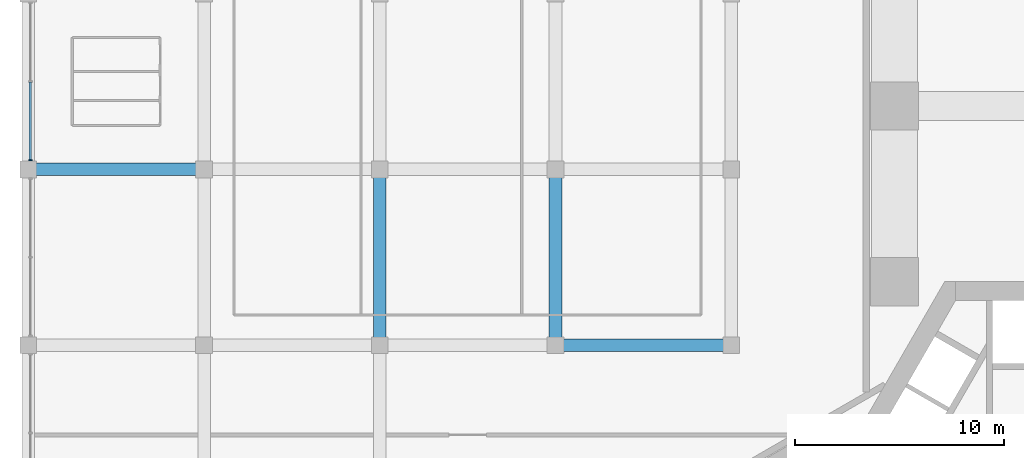
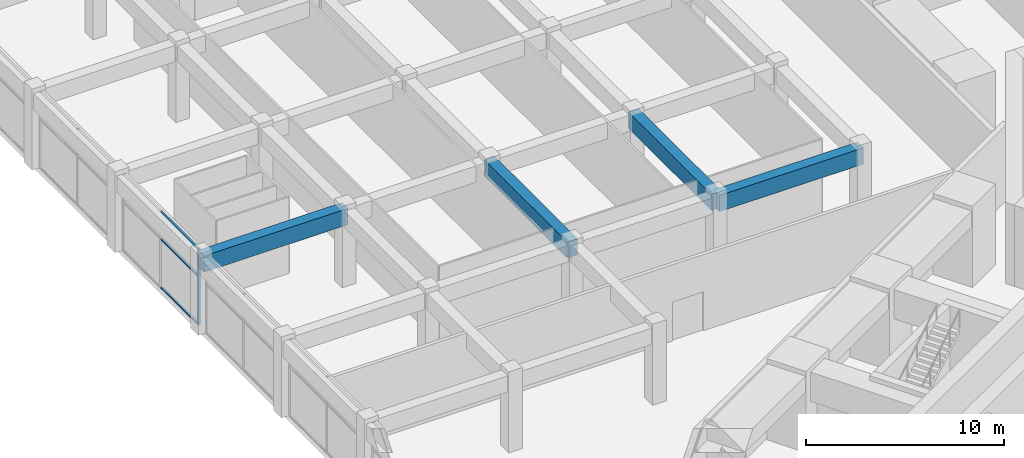
# One storey, part 8 of 34: 4 beams, 4 members, 1 element without a shape of its own.
"""IFC4 building model written with IfcOpenShell, lengths in metres."""

import ifcopenshell
import ifcopenshell.guid

model = None  # the IFC model being written
_history = None  # IfcOwnerHistory: only IFC2X3 demands one
_inside = {}  # id of a spatial element -> (the spatial element, [elements in it])
_under = {}  # id of a project, library or spatial element -> (it, [spatial elements below it])
_declared = {}  # id of a project -> (the project, [libraries it declares])
_typed = {}  # id of a type object -> (the type object, [elements of that type])
_made_of = {}  # id of a material, layer set ... -> (it, [elements and type objects made of it])


def new_model(schema):
    """Start an empty IFC model of exactly this schema.

    Asked for "IFC4X3", IfcOpenShell would pick the latest addendum, in which some entities
    have other attributes; the version numbers below select the first issue.
    IFC2X3 requires an IfcOwnerHistory on every rooted entity: one is made here for all.
    """
    global model, _history
    if schema == "IFC4X3":
        model = ifcopenshell.file(schema_version=(4, 3, 0, 0))
    else:
        model = ifcopenshell.file(schema=schema)
    _inside.clear()
    _under.clear()
    _declared.clear()
    _typed.clear()
    _made_of.clear()
    _history = None
    if model.schema == "IFC2X3":
        org = make("IfcOrganization", Name="unknown")
        user = make(
            "IfcPersonAndOrganization",
            ThePerson=make("IfcPerson", FamilyName="unknown"),
            TheOrganization=org,
        )
        app = make(
            "IfcApplication",
            ApplicationDeveloper=org,
            Version="unknown",
            ApplicationFullName="unknown",
            ApplicationIdentifier="unknown",
        )
        _history = make(
            "IfcOwnerHistory",
            OwningUser=user,
            OwningApplication=app,
            ChangeAction="ADDED",
            CreationDate=0,
        )
    return model


def make(cls, **values):
    """One entity of the class cls with the attributes given. An attribute that is None is left unset."""
    return model.create_entity(
        cls, **{name: value for name, value in values.items() if value is not None}
    )


def rooted(cls, **values):
    """An entity with a GlobalId (a new one), such as an element, a storey or a relation."""
    return make(cls, GlobalId=ifcopenshell.guid.new(), OwnerHistory=_history, **values)


def si_unit(unit_type, name, prefix=None):
    """IfcSIUnit, for example si_unit("LENGTHUNIT", "METRE", prefix="MILLI")."""
    return make("IfcSIUnit", UnitType=unit_type, Prefix=prefix, Name=name)


def assignment(units):
    """IfcUnitAssignment: the units of a project."""
    return None if units is None else make("IfcUnitAssignment", Units=units)


def point(xyz):
    """IfcCartesianPoint."""
    return None if xyz is None else make("IfcCartesianPoint", Coordinates=xyz)


def direction(xyz):
    """IfcDirection."""
    return None if xyz is None else make("IfcDirection", DirectionRatios=xyz)


def frame(location, z_axis=None, x_axis=None):
    """IfcAxis2Placement3D, a coordinate frame: its origin and axes. An axis left out is left unset."""
    return make(
        "IfcAxis2Placement3D",
        Location=point(location),
        Axis=direction(z_axis),
        RefDirection=direction(x_axis),
    )


def frame_2d(location, x_axis=None):
    """IfcAxis2Placement2D, a coordinate frame in the plane: its origin and x axis."""
    return make(
        "IfcAxis2Placement2D", Location=point(location), RefDirection=direction(x_axis)
    )


def origin():
    """The frame at (0, 0, 0) with its axes left unset."""
    return frame((0.0, 0.0, 0.0))


def origin_2d():
    """The frame at (0, 0) in the plane with its x axis left unset."""
    return frame_2d((0.0, 0.0))


def place(relative_to, where):
    """IfcLocalPlacement: puts the frame where relative to a parent placement (None: the world)."""
    return make(
        "IfcLocalPlacement", PlacementRelTo=relative_to, RelativePlacement=where
    )


def context(
    kind, dimensions, precision=None, world=None, true_north=None, identifier=None
):
    """IfcGeometricRepresentationContext, for example the 3D "Model" context."""
    return make(
        "IfcGeometricRepresentationContext",
        ContextIdentifier=identifier,
        ContextType=kind,
        CoordinateSpaceDimension=dimensions,
        Precision=precision,
        WorldCoordinateSystem=world,
        TrueNorth=true_north,
    )


def subcontext(parent, identifier, kind, view, scale=None):
    """IfcGeometricRepresentationSubContext, for example "Body" below "Model"."""
    return make(
        "IfcGeometricRepresentationSubContext",
        ContextIdentifier=identifier,
        ContextType=kind,
        ParentContext=parent,
        TargetScale=scale,
        TargetView=view,
    )


def project(units=None, contexts=None):
    """IfcProject with its units and contexts."""
    return rooted(
        "IfcProject",
        Name="project",
        RepresentationContexts=contexts,
        UnitsInContext=assignment(units),
    )


def spatial(cls, under=None, at=None, **own):
    """A site, building, storey or space (cls), placed at a placement, below another one or the project."""
    s = rooted(cls, ObjectPlacement=at, **own)
    if under is not None:
        _under.setdefault(under.id(), (under, []))[1].append(s)
    return s


def profile(cls, at=None, kind="AREA", **sizes):
    """A parametric profile (cls). Its sizes go by their IFC names, for example OverallWidth=200.0."""
    return make(cls, ProfileType=kind, Position=at, **sizes)


def rectangle(**sizes):
    """IfcRectangleProfileDef."""
    return profile("IfcRectangleProfileDef", **sizes)


def extrude(swept, where, along, depth):
    """IfcExtrudedAreaSolid: the profile swept, set in the frame where, extruded along a direction by depth."""
    return make(
        "IfcExtrudedAreaSolid",
        SweptArea=swept,
        Position=where,
        ExtrudedDirection=direction(along),
        Depth=depth,
    )


def shape(context_of_items, identifier, shape_type, items):
    """IfcShapeRepresentation: the items that make up one representation, for example the "Body"."""
    return make(
        "IfcShapeRepresentation",
        ContextOfItems=context_of_items,
        RepresentationIdentifier=identifier,
        RepresentationType=shape_type,
        Items=items,
    )


def material(Name=None, Category=None):
    """IfcMaterial."""
    return make("IfcMaterial", Name=Name, Category=Category)


def material_profile(
    of_material, cross_section, Name=None, Category=None, Priority=None
):
    """IfcMaterialProfile: a cross section and its material."""
    return make(
        "IfcMaterialProfile",
        Name=Name,
        Material=of_material,
        Profile=cross_section,
        Priority=Priority,
        Category=Category,
    )


def profile_set(profiles, Name=None, composite=None):
    """IfcMaterialProfileSet."""
    return make(
        "IfcMaterialProfileSet",
        Name=Name,
        MaterialProfiles=profiles,
        CompositeProfile=composite,
    )


def made_of(thing, what):
    """Note that an element or type object is made of a material, layer set ...; save() writes the relation."""
    if what is not None:
        _made_of.setdefault(what.id(), (what, []))[1].append(thing)
    return thing


def type_object(cls, material=None, **own):
    """A type object (cls), such as IfcWallType, which elements share."""
    return made_of(rooted(cls, **own), material)


def element(
    cls,
    number,
    at=None,
    inside=None,
    cuts=None,
    type_object=None,
    material=None,
    context=None,
    identifier="Body",
    shape_type=None,
    held_by="IfcProductDefinitionShape",
    body=None,
    shapes=None,
    **own,
):
    """One element of the class cls, such as IfcWall. Its Tag is "e" and its number.

    at: its placement. inside: the storey or other place that contains it. cuts: it is an
    opening in that element (IfcRelVoidsElement). A single representation is given by context,
    identifier, shape_type and body (its items); several are given by shapes. held_by: the class
    of the entity that holds the representations. save() writes the other relations.
    """
    e = rooted(cls, Tag="e%d" % number, ObjectPlacement=at, **own)
    if body is not None:
        shapes = [shape(context, identifier, shape_type, body)]
    if shapes is not None:
        e.Representation = make(held_by, Representations=shapes)
    if inside is not None:
        _inside.setdefault(inside.id(), (inside, []))[1].append(e)
    if cuts is not None:
        rooted(
            "IfcRelVoidsElement", RelatingBuildingElement=cuts, RelatedOpeningElement=e
        )
    if type_object is not None:
        _typed.setdefault(type_object.id(), (type_object, []))[1].append(e)
    return made_of(e, material)


def aggregate(whole, parts):
    """IfcRelAggregates: a whole, such as a stair, and the parts it consists of."""
    return rooted("IfcRelAggregates", RelatingObject=whole, RelatedObjects=parts)


def save(model, path):
    """Write the relations noted so far, then the file.

    IfcRelAggregates (storeys below a building ...), IfcRelContainedInSpatialStructure (elements
    in a storey), IfcRelDefinesByType, IfcRelAssociatesMaterial and IfcRelDeclares: one each for
    every whole, place, type object, material and project.
    """
    for whole, parts in _under.values():
        aggregate(whole, parts)
    for where, things in _inside.values():
        rooted(
            "IfcRelContainedInSpatialStructure",
            RelatedElements=things,
            RelatingStructure=where,
        )
    for kind, things in _typed.values():
        rooted("IfcRelDefinesByType", RelatedObjects=things, RelatingType=kind)
    for what, things in _made_of.values():
        rooted("IfcRelAssociatesMaterial", RelatedObjects=things, RelatingMaterial=what)
    for by, libraries in _declared.values():
        rooted("IfcRelDeclares", RelatingContext=by, RelatedDefinitions=libraries)
    model.write(path)


model = new_model("IFC4")

# Units and contexts
model_context = context("Model", 3, precision=1e-05, world=origin(), true_north=direction((0.0, 1.0)))
body_context = subcontext(model_context, "Body", "Model", "MODEL_VIEW")
ifc_project = project(units=[si_unit("LENGTHUNIT", "METRE"), si_unit("AREAUNIT", "SQUARE_METRE"), si_unit("VOLUMEUNIT", "CUBIC_METRE"), si_unit("PLANEANGLEUNIT", "RADIAN"), si_unit("MASSUNIT", "GRAM", prefix="KILO")], contexts=[model_context])

# Site, building, storey
site_placement = place(None, origin())
site = spatial("IfcSite", under=ifc_project, at=site_placement, CompositionType="ELEMENT")
building_placement = place(site_placement, origin())
building = spatial("IfcBuilding", under=site, at=building_placement, Name="Impinga Residences", CompositionType="ELEMENT")
storey_placement = place(building_placement, frame((0.0, 0.0, 16.0)))
storey = spatial("IfcBuildingStorey", under=building, at=storey_placement, Name="L03", CompositionType="ELEMENT", Elevation=16.0)

# Curtain wall, members
ifc_material_1 = material(Name="Aluminium stick curtain wall", Category="aluminium")
curtain_wall_type = type_object("IfcCurtainWallType", Name="CW1 podium amenity curtain wall", PredefinedType="USERDEFINED", material=ifc_material_1)
curtain_wall_placement = place(storey_placement, origin())
curtain_wall = element("IfcCurtainWall", 1, at=curtain_wall_placement, inside=storey, type_object=curtain_wall_type, Name="Curtain wall CW1 L03", ObjectType="STICK CURTAIN WALL", PredefinedType="USERDEFINED")
ifc_material_2 = material(Name="Aluminium mullion", Category="aluminium")
ifc_material_profile_1 = material_profile(ifc_material_2, rectangle(XDim=0.06005859375, YDim=0.179931640625, at=origin_2d()), Name="60x180 mullion")
ifc_profile_set_1 = profile_set([ifc_material_profile_1], Name="Aluminium mullion")
member_type_1 = type_object("IfcMemberType", Name="CW1-M mullion 60x180", PredefinedType="MULLION", material=ifc_profile_set_1)
member_1_placement = place(storey_placement, frame((-50.300048828125, 17.23291015625, 0.0), z_axis=(0.0, 0.0, 1.0), x_axis=(0.0, 1.0, 0.0)))
member_1 = element("IfcMember", 2, at=member_1_placement, type_object=member_type_1, Name="CW1 mullion 1", PredefinedType="MULLION", context=body_context, shape_type="SweptSolid", body=[
    extrude(rectangle(XDim=0.06005859375, YDim=0.179931640625, at=origin_2d()), origin(), (0.0, 0.0, 1.0), 4.699951171875),
])
ifc_material_3 = material(Name="Aluminium transom", Category="aluminium")
ifc_material_profile_2 = material_profile(ifc_material_3, rectangle(XDim=0.06005859375, YDim=0.1201171875, at=origin_2d()), Name="60x120 transom")
ifc_profile_set_2 = profile_set([ifc_material_profile_2], Name="Aluminium transom")
member_type_2 = type_object("IfcMemberType", Name="CW1-T transom 60x120", PredefinedType="USERDEFINED", material=ifc_profile_set_2)
member_2_placement = place(storey_placement, frame((-50.300048828125, 17.262939453125, 0.030029296875), z_axis=(0.0, 1.0, 0.0), x_axis=(0.0, 0.0, 1.0)))
member_2 = element("IfcMember", 3, at=member_2_placement, type_object=member_type_2, Name="CW1 transom 1.1", ObjectType="TRANSOM", PredefinedType="USERDEFINED", context=body_context, shape_type="SweptSolid", body=[
    extrude(rectangle(XDim=0.06005859375, YDim=0.1201171875, at=origin_2d()), origin(), (0.0, 0.0, 1.0), 3.70703125),
])
member_3_placement = place(storey_placement, frame((-50.300048828125, 17.262939453125, 3.0), z_axis=(0.0, 1.0, 0.0), x_axis=(0.0, 0.0, 1.0)))
member_3 = element("IfcMember", 4, at=member_3_placement, type_object=member_type_2, Name="CW1 transom 1.2", ObjectType="TRANSOM", PredefinedType="USERDEFINED", context=body_context, shape_type="SweptSolid", body=[
    extrude(rectangle(XDim=0.06005859375, YDim=0.1201171875, at=origin_2d()), origin(), (0.0, 0.0, 1.0), 3.70703125),
])
member_4_placement = place(storey_placement, frame((-50.300048828125, 17.262939453125, 4.669921875), z_axis=(0.0, 1.0, 0.0), x_axis=(0.0, 0.0, 1.0)))
member_4 = element("IfcMember", 5, at=member_4_placement, type_object=member_type_2, Name="CW1 transom 1.3", ObjectType="TRANSOM", PredefinedType="USERDEFINED", context=body_context, shape_type="SweptSolid", body=[
    extrude(rectangle(XDim=0.06005859375, YDim=0.1201171875, at=origin_2d()), origin(), (0.0, 0.0, 1.0), 3.70703125),
])
aggregate(curtain_wall, [member_1, member_2, member_3, member_4])

# Beams
ifc_material_4 = material(Name="Concrete C60/75", Category="concrete")
ifc_material_profile_3 = material_profile(ifc_material_4, rectangle(XDim=0.60009765625, YDim=1.0, at=origin_2d()), Name="RC 600x1000")
ifc_profile_set_3 = profile_set([ifc_material_profile_3], Name="Concrete C60/75")
beam_type = type_object("IfcBeamType", Name="PB2 600x1000 podium beam", PredefinedType="BEAM", material=ifc_profile_set_3)
for number, where, z_axis, x_axis, name in (
    (6, (-25.199951171875, 8.39990234375, 4.199951171875), (1.0, 0.0, 0.0), (0.0, 1.0, 0.0), "Beam PB2 G/4-5 level L04"),
    (7, (-50.39990234375, 16.800048828125, 4.199951171875), (1.0, 0.0, 0.0), (0.0, 1.0, 0.0), "Beam PB2 H/1-2 level L04"),
):
    element("IfcBeam", number, at=place(storey_placement, frame(where, z_axis=z_axis, x_axis=x_axis)), inside=storey, type_object=beam_type, Name=name, PredefinedType="BEAM", context=body_context, shape_type="SweptSolid", body=[
        extrude(rectangle(XDim=0.60009765625, YDim=1.0, at=origin_2d()), origin(), (0.0, 0.0, 1.0), 8.39990234375),
    ])
for number, where, z_axis, x_axis, name in (
    (8, (-33.60009765625, 8.39990234375, 4.199951171875), (0.0, 1.0, 0.0), (-1.0, 0.0, 0.0), "Beam PB2 3/G-H level L04"),
    (9, (-25.199951171875, 8.39990234375, 4.199951171875), (0.0, 1.0, 0.0), (-1.0, 0.0, 0.0), "Beam PB2 4/G-H level L04"),
):
    element("IfcBeam", number, at=place(storey_placement, frame(where, z_axis=z_axis, x_axis=x_axis)), inside=storey, type_object=beam_type, Name=name, PredefinedType="BEAM", context=body_context, shape_type="SweptSolid", body=[
        extrude(rectangle(XDim=0.60009765625, YDim=1.0, at=origin_2d()), origin(), (0.0, 0.0, 1.0), 8.400146484375),
    ])

save(model, "model.ifc")
